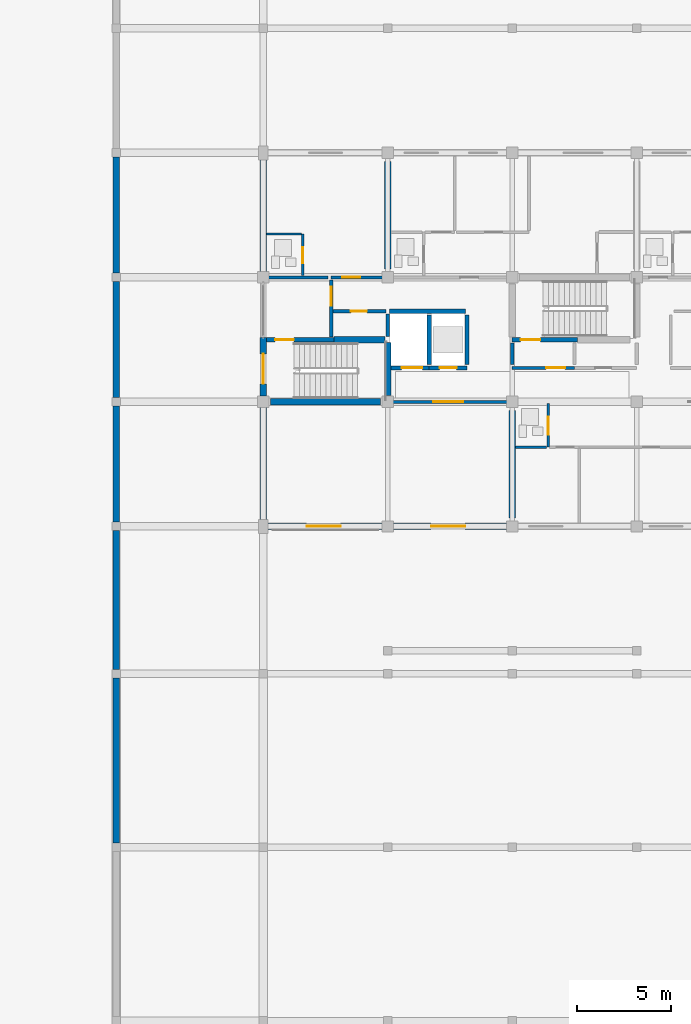
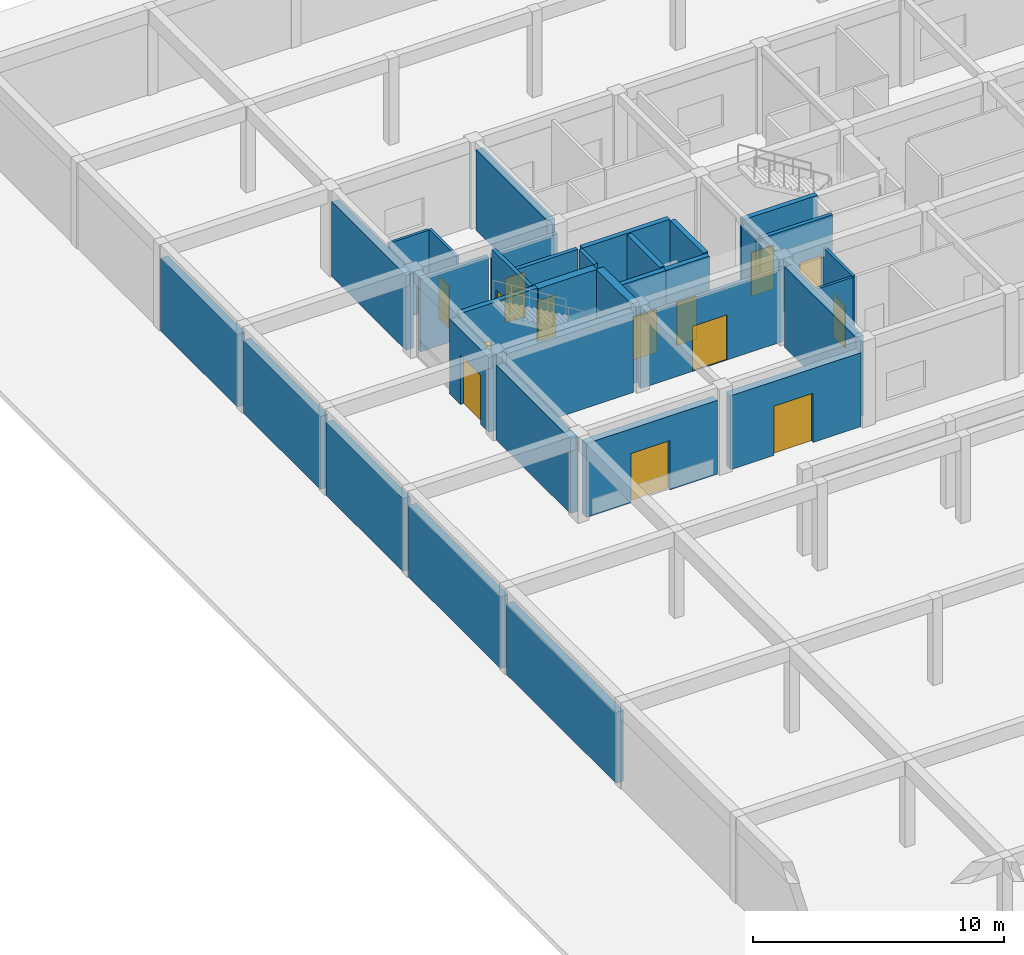
# One storey, part 54 of 75: 34 walls, 14 doors, 14 openings.
"""IFC4 building model written with IfcOpenShell, lengths in metres."""

from ifc_helpers import new_model, si_unit, direction, frame, frame_2d, origin, place, context, subcontext, project, spatial, rectangle, extrude, material, layer, layer_set, type_object, element, fill, save


model = new_model("IFC4")

# Units and contexts
model_context = context("Model", 3, precision=1e-05, world=origin(), true_north=direction((0.0, 1.0)))
body_context = subcontext(model_context, "Body", "Model", "MODEL_VIEW")
ifc_project = project(units=[si_unit("LENGTHUNIT", "METRE"), si_unit("AREAUNIT", "SQUARE_METRE"), si_unit("VOLUMEUNIT", "CUBIC_METRE"), si_unit("PLANEANGLEUNIT", "RADIAN"), si_unit("MASSUNIT", "GRAM", prefix="KILO")], contexts=[model_context])

# Site, building, storey
site_placement = place(None, origin())
site = spatial("IfcSite", under=ifc_project, at=site_placement, CompositionType="ELEMENT")
building_placement = place(site_placement, origin())
building = spatial("IfcBuilding", under=site, at=building_placement, Name="Kernevlak Ridge Housing Community", CompositionType="ELEMENT")
storey_placement = place(building_placement, origin())
storey = spatial("IfcBuildingStorey", under=building, at=storey_placement, Name="L00", CompositionType="ELEMENT", Elevation=0.0)

# Wall, opening, door
ifc_material_1 = material(Name="Concrete block masonry M10", Category="masonry")
ifc_layer_1 = layer(ifc_material_1, 0.340087890625, Name="Concrete block masonry M10")
ifc_layer_set_1 = layer_set([ifc_layer_1], Name="Concrete block masonry M10")
wall_type_1 = type_object("IfcWallType", Name="EW-04", PredefinedType="STANDARD", material=ifc_layer_set_1)
wall_1_placement = place(storey_placement, frame((15.85009765625, 76.0, 0.0), z_axis=(0.0, 0.0, 1.0), x_axis=(1.0, 0.0, 0.0)))
wall_1 = element("IfcWall", 1, at=wall_1_placement, inside=storey, type_object=wall_type_1, Name="Exterior wall EW-04 L00 1", PredefinedType="STANDARD", context=body_context, shape_type="SweptSolid", body=[
    extrude(rectangle(XDim=6.0498046875, YDim=0.340087890625, at=frame_2d((3.02490234375, 0.0))), origin(), (0.0, 0.0, 1.0), 3.60009765625),
])
opening_1_placement = place(wall_1_placement, frame((2.050048828125, 0.0, 0.0)))
opening_1 = element("IfcOpeningElement", 2, at=opening_1_placement, cuts=wall_1, Name="Opening D018", PredefinedType="OPENING", context=body_context, shape_type="SweptSolid", body=[
    extrude(rectangle(XDim=1.800048828125, YDim=2.39990234375, at=frame_2d((0.89990234375, 1.199951171875))), frame((0.0, 0.179931640625, 0.0), z_axis=(0.0, -1.0, 0.0), x_axis=(1.0, 0.0, 0.0)), (0.0, 0.0, 1.0), 0.360107421875),
])
ifc_material_2 = material(Name="Aluminium EN AW-6060 and laminated safety glass", Category="aluminium")
door_type_1 = type_object("IfcDoorType", Name="DT-10", OperationType="DOUBLE_DOOR_SINGLE_SWING", PredefinedType="DOOR", material=ifc_material_2)
door_1_placement = place(opening_1_placement, origin())
door_1 = element("IfcDoor", 3, at=door_1_placement, inside=storey, type_object=door_type_1, Name="Block A Main pedestrian entrance exit D018", OperationType="DOUBLE_DOOR_SINGLE_SWING", OverallHeight=2.39990234375, OverallWidth=1.800048828125, PredefinedType="DOOR", context=body_context, shape_type="SweptSolid", body=[
    extrude(rectangle(XDim=1.800048828125, YDim=2.39990234375, at=frame_2d((0.89990234375, 1.199951171875))), frame((0.0, 0.02490234375, 0.0), z_axis=(0.0, -1.0, 0.0), x_axis=(1.0, 0.0, 0.0)), (0.0, 0.0, 1.0), 0.050048828125),
])
fill(opening_1, door_1)

wall_2_placement = place(storey_placement, frame((22.5, 76.0, 0.0), z_axis=(0.0, 0.0, 1.0), x_axis=(1.0, 0.0, 0.0)))
wall_2 = element("IfcWall", 4, at=wall_2_placement, inside=storey, type_object=wall_type_1, Name="Exterior wall EW-04 L00 2", PredefinedType="STANDARD", context=body_context, shape_type="SweptSolid", body=[
    extrude(rectangle(XDim=6.0, YDim=0.340087890625, at=frame_2d((3.0, 0.0))), origin(), (0.0, 0.0, 1.0), 3.60009765625),
])
opening_2_placement = place(wall_2_placement, frame((2.0, 0.0, 0.0)))
opening_2 = element("IfcOpeningElement", 5, at=opening_2_placement, cuts=wall_2, Name="Opening D019", PredefinedType="OPENING", context=body_context, shape_type="SweptSolid", body=[
    extrude(rectangle(XDim=1.800048828125, YDim=2.39990234375, at=frame_2d((0.89990234375, 1.199951171875))), frame((0.0, 0.179931640625, 0.0), z_axis=(0.0, -1.0, 0.0), x_axis=(1.0, 0.0, 0.0)), (0.0, 0.0, 1.0), 0.360107421875),
])
door_2_placement = place(opening_2_placement, origin())
door_2 = element("IfcDoor", 6, at=door_2_placement, inside=storey, type_object=door_type_1, Name="Block A Main pedestrian entrance exit D019", OperationType="DOUBLE_DOOR_SINGLE_SWING", OverallHeight=2.39990234375, OverallWidth=1.800048828125, PredefinedType="DOOR", context=body_context, shape_type="SweptSolid", body=[
    extrude(rectangle(XDim=1.800048828125, YDim=2.39990234375, at=frame_2d((0.89990234375, 1.199951171875))), frame((0.0, 0.02490234375, 0.0), z_axis=(0.0, -1.0, 0.0), x_axis=(1.0, 0.0, 0.0)), (0.0, 0.0, 1.0), 0.050048828125),
])
fill(opening_2, door_2)

# Walls
for number, where, z_axis, x_axis, name in (
    (7, (15.60009765625, 76.375, 0.0), (0.0, 0.0, 1.0), (0.0, 1.0, 0.0), "Exterior wall EW-04 L00 11"),
    (8, (15.60009765625, 89.5, 0.0), (0.0, 0.0, 1.0), (0.0, 1.0, 0.0), "Exterior wall EW-04 L00 12"),
):
    element("IfcWall", number, at=place(storey_placement, frame(where, z_axis=z_axis, x_axis=x_axis)), inside=storey, type_object=wall_type_1, Name=name, PredefinedType="STANDARD", context=body_context, shape_type="SweptSolid", body=[
        extrude(rectangle(XDim=5.925048828125, YDim=0.340087890625, at=frame_2d((2.96240234375, 0.0))), origin(), (0.0, 0.0, 1.0), 3.64990234375),
    ])
wall_3_placement = place(storey_placement, frame((7.800048828125, 59.22509765625, 0.0), z_axis=(0.0, 0.0, 1.0), x_axis=(0.0, 1.0, 0.0)))
element("IfcWall", 9, at=wall_3_placement, inside=storey, type_object=wall_type_1, Name="Exterior wall EW-04 L00 861", PredefinedType="STANDARD", context=body_context, shape_type="SweptSolid", body=[
    extrude(rectangle(XDim=8.75, YDim=0.340087890625, at=frame_2d((4.375, 0.0))), origin(), (0.0, 0.0, 1.0), 3.449951171875),
])
wall_4_placement = place(storey_placement, frame((7.800048828125, 68.425048828125, 0.0), z_axis=(0.0, 0.0, 1.0), x_axis=(0.0, 1.0, 0.0)))
element("IfcWall", 10, at=wall_4_placement, inside=storey, type_object=wall_type_1, Name="Exterior wall EW-04 L00 862", PredefinedType="STANDARD", context=body_context, shape_type="SweptSolid", body=[
    extrude(rectangle(XDim=7.349853515625, YDim=0.340087890625, at=frame_2d((3.6748046875, 0.0))), origin(), (0.0, 0.0, 1.0), 3.5),
])
wall_5_placement = place(storey_placement, frame((7.800048828125, 76.22509765625, 0.0), z_axis=(0.0, 0.0, 1.0), x_axis=(0.0, 1.0, 0.0)))
element("IfcWall", 11, at=wall_5_placement, inside=storey, type_object=wall_type_1, Name="Exterior wall EW-04 L00 863", PredefinedType="STANDARD", context=body_context, shape_type="SweptSolid", body=[
    extrude(rectangle(XDim=6.14990234375, YDim=0.340087890625, at=frame_2d((3.074951171875, 0.0))), origin(), (0.0, 0.0, 1.0), 3.550048828125),
])
wall_6_placement = place(storey_placement, frame((7.800048828125, 82.824951171875, 0.0), z_axis=(0.0, 0.0, 1.0), x_axis=(0.0, 1.0, 0.0)))
element("IfcWall", 12, at=wall_6_placement, inside=storey, type_object=wall_type_1, Name="Exterior wall EW-04 L00 864", PredefinedType="STANDARD", context=body_context, shape_type="SweptSolid", body=[
    extrude(rectangle(XDim=6.150146484375, YDim=0.340087890625, at=frame_2d((3.0751953125, 0.0))), origin(), (0.0, 0.0, 1.0), 3.550048828125),
])
wall_7_placement = place(storey_placement, frame((7.800048828125, 89.425048828125, 0.0), z_axis=(0.0, 0.0, 1.0), x_axis=(0.0, 1.0, 0.0)))
element("IfcWall", 13, at=wall_7_placement, inside=storey, type_object=wall_type_1, Name="Exterior wall EW-04 L00 865", PredefinedType="STANDARD", context=body_context, shape_type="SweptSolid", body=[
    extrude(rectangle(XDim=6.14990234375, YDim=0.340087890625, at=frame_2d((3.074951171875, 0.0))), origin(), (0.0, 0.0, 1.0), 3.550048828125),
])

# Wall, opening, door
wall_8_placement = place(storey_placement, frame((15.60009765625, 82.89990234375, 0.0), z_axis=(0.0, 0.0, 1.0), x_axis=(0.0, 1.0, 0.0)))
wall_8 = element("IfcWall", 14, at=wall_8_placement, inside=storey, type_object=wall_type_1, Name="Exterior wall EW-04 L00 929", PredefinedType="STANDARD", context=body_context, shape_type="SweptSolid", body=[
    extrude(rectangle(XDim=3.110107421875, YDim=0.340087890625, at=frame_2d((1.55517578125, 0.0))), origin(), (0.0, 0.0, 1.0), 3.64990234375),
])
opening_3_placement = place(wall_8_placement, frame((0.64990234375, 0.0, 0.0)))
opening_3 = element("IfcOpeningElement", 15, at=opening_3_placement, cuts=wall_8, Name="Opening E828", PredefinedType="OPENING", context=body_context, shape_type="SweptSolid", body=[
    extrude(rectangle(XDim=1.60009765625, YDim=2.39990234375, at=frame_2d((0.800048828125, 1.199951171875))), frame((0.0, 0.179931640625, 0.0), z_axis=(0.0, -1.0, 0.0), x_axis=(1.0, 0.0, 0.0)), (0.0, 0.0, 1.0), 0.360107421875),
])
door_type_2 = type_object("IfcDoorType", Name="DT-13", OperationType="DOUBLE_DOOR_SINGLE_SWING", PredefinedType="DOOR", material=ifc_material_2)
door_3_placement = place(opening_3_placement, origin())
door_3 = element("IfcDoor", 16, at=door_3_placement, inside=storey, type_object=door_type_2, Name="Block A Stair 1 exit discharge door E828", OperationType="DOUBLE_DOOR_SINGLE_SWING", OverallHeight=2.39990234375, OverallWidth=1.60009765625, PredefinedType="DOOR", context=body_context, shape_type="SweptSolid", body=[
    extrude(rectangle(XDim=1.60009765625, YDim=2.39990234375, at=frame_2d((0.800048828125, 1.199951171875))), frame((0.0, 0.02490234375, 0.0), z_axis=(0.0, -1.0, 0.0), x_axis=(1.0, 0.0, 0.0)), (0.0, 0.0, 1.0), 0.050048828125),
])
fill(opening_3, door_3)

ifc_material_3 = material(Name="Concrete C35/45", Category="concrete")
ifc_layer_2 = layer(ifc_material_3, 0.22509765625, Name="Concrete C35/45")
ifc_layer_set_2 = layer_set([ifc_layer_2], Name="Concrete C35/45")
wall_type_2 = type_object("IfcWallType", Name="PW-01", PredefinedType="STANDARD", material=ifc_layer_set_2)
wall_9_placement = place(storey_placement, frame((15.780029296875, 85.89990234375, 0.0), z_axis=(0.0, 0.0, 1.0), x_axis=(1.0, 0.0, 0.0)))
wall_9 = element("IfcWall", 17, at=wall_9_placement, inside=storey, type_object=wall_type_2, Name="Interior wall PW-01 WAL-INT-L00-0022", PredefinedType="STANDARD", context=body_context, shape_type="SweptSolid", body=[
    extrude(rectangle(XDim=3.570068359375, YDim=0.22509765625, at=frame_2d((1.78515625, 0.0))), origin(), (0.0, 0.0, 1.0), 3.919921875),
])
opening_4_placement = place(wall_9_placement, frame((0.449951171875, 0.0, 0.0)))
opening_4 = element("IfcOpeningElement", 18, at=opening_4_placement, cuts=wall_9, Name="Opening D009", PredefinedType="OPENING", context=body_context, shape_type="SweptSolid", body=[
    extrude(rectangle(XDim=1.0, YDim=2.10009765625, at=frame_2d((0.5, 1.050048828125))), frame((0.0, 0.12255859375, 0.0), z_axis=(0.0, -1.0, 0.0), x_axis=(1.0, 0.0, 0.0)), (0.0, 0.0, 1.0), 0.2451171875),
])
ifc_material_4 = material(Name="Fire-rated sheet steel leaf", Category="steel")
door_type_3 = type_object("IfcDoorType", Name="DT-05", OperationType="NOTDEFINED", PredefinedType="DOOR", material=ifc_material_4)
door_4_placement = place(opening_4_placement, origin())
door_4 = element("IfcDoor", 19, at=door_4_placement, inside=storey, type_object=door_type_3, Name="Block A Stair 1 fire door D009", OperationType="SINGLE_SWING_LEFT", OverallHeight=2.10009765625, OverallWidth=1.0, PredefinedType="DOOR", context=body_context, shape_type="SweptSolid", body=[
    extrude(rectangle(XDim=1.0, YDim=2.10009765625, at=frame_2d((0.5, 1.050048828125))), frame((0.0, 0.02490234375, 0.0), z_axis=(0.0, -1.0, 0.0), x_axis=(1.0, 0.0, 0.0)), (0.0, 0.0, 1.0), 0.050048828125),
])
fill(opening_4, door_4)

wall_10_placement = place(storey_placement, frame((22.385009765625, 84.39990234375, 0.0), z_axis=(0.0, 0.0, 1.0), x_axis=(1.0, 0.0, 0.0)))
wall_10 = element("IfcWall", 20, at=wall_10_placement, inside=storey, type_object=wall_type_2, Name="Interior wall PW-01 WAL-INT-L00-0026", PredefinedType="STANDARD", context=body_context, shape_type="SweptSolid", body=[
    extrude(rectangle(XDim=2.014892578125, YDim=0.22509765625, at=frame_2d((1.00732421875, 0.0))), origin(), (0.0, 0.0, 1.0), 3.919921875),
])
opening_5_placement = place(wall_10_placement, frame((0.550048828125, 0.0, 0.0)))
opening_5 = element("IfcOpeningElement", 21, at=opening_5_placement, cuts=wall_10, Name="Opening LD02", PredefinedType="OPENING", context=body_context, shape_type="SweptSolid", body=[
    extrude(rectangle(XDim=1.10009765625, YDim=2.10009765625, at=frame_2d((0.550048828125, 1.050048828125))), frame((0.0, 0.12255859375, 0.0), z_axis=(0.0, -1.0, 0.0), x_axis=(1.0, 0.0, 0.0)), (0.0, 0.0, 1.0), 0.2451171875),
])
ifc_material_5 = material(Name="Stainless steel EN 1.4401", Category="steel")
door_type_4 = type_object("IfcDoorType", Name="DT-LD1", OperationType="DOUBLE_DOOR_SLIDING", PredefinedType="DOOR", material=ifc_material_5)
door_5_placement = place(opening_5_placement, origin())
door_5 = element("IfcDoor", 22, at=door_5_placement, inside=storey, type_object=door_type_4, Name="Lift LF-A1 landing door LD02", OperationType="DOUBLE_DOOR_SLIDING", OverallHeight=2.10009765625, OverallWidth=1.10009765625, PredefinedType="DOOR", context=body_context, shape_type="SweptSolid", body=[
    extrude(rectangle(XDim=1.10009765625, YDim=2.10009765625, at=frame_2d((0.550048828125, 1.050048828125))), frame((0.0, 0.02490234375, 0.0), z_axis=(0.0, -1.0, 0.0), x_axis=(1.0, 0.0, 0.0)), (0.0, 0.0, 1.0), 0.050048828125),
])
fill(opening_5, door_5)

wall_11_placement = place(storey_placement, frame((24.39990234375, 84.39990234375, 0.0), z_axis=(0.0, 0.0, 1.0), x_axis=(1.0, 0.0, 0.0)))
wall_11 = element("IfcWall", 23, at=wall_11_placement, inside=storey, type_object=wall_type_2, Name="Interior wall PW-01 WAL-INT-L00-0027", PredefinedType="STANDARD", context=body_context, shape_type="SweptSolid", body=[
    extrude(rectangle(XDim=2.0, YDim=0.22509765625, at=frame_2d((1.0, 0.0))), origin(), (0.0, 0.0, 1.0), 3.919921875),
])
opening_6_placement = place(wall_11_placement, frame((0.550048828125, 0.0, 0.0)))
opening_6 = element("IfcOpeningElement", 24, at=opening_6_placement, cuts=wall_11, Name="Opening LD03", PredefinedType="OPENING", context=body_context, shape_type="SweptSolid", body=[
    extrude(rectangle(XDim=0.89990234375, YDim=2.10009765625, at=frame_2d((0.449951171875, 1.050048828125))), frame((0.0, 0.12255859375, 0.0), z_axis=(0.0, -1.0, 0.0), x_axis=(1.0, 0.0, 0.0)), (0.0, 0.0, 1.0), 0.2451171875),
])
door_type_5 = type_object("IfcDoorType", Name="DT-LD2", OperationType="DOUBLE_DOOR_SLIDING", PredefinedType="DOOR", material=ifc_material_5)
door_6_placement = place(opening_6_placement, origin())
door_6 = element("IfcDoor", 25, at=door_6_placement, inside=storey, type_object=door_type_5, Name="Lift LF-A2 landing door LD03", OperationType="DOUBLE_DOOR_SLIDING", OverallHeight=2.10009765625, OverallWidth=0.89990234375, PredefinedType="DOOR", context=body_context, shape_type="SweptSolid", body=[
    extrude(rectangle(XDim=0.89990234375, YDim=2.10009765625, at=frame_2d((0.449951171875, 1.050048828125))), frame((0.0, 0.02490234375, 0.0), z_axis=(0.0, -1.0, 0.0), x_axis=(1.0, 0.0, 0.0)), (0.0, 0.0, 1.0), 0.050048828125),
])
fill(opening_6, door_6)

# Walls
wall_12_placement = place(storey_placement, frame((22.297607421875, 87.39990234375, 0.0), z_axis=(0.0, 0.0, 1.0), x_axis=(1.0, 0.0, 0.0)))
element("IfcWall", 26, at=wall_12_placement, inside=storey, type_object=wall_type_2, Name="Interior wall PW-01 WAL-INT-L00-0028", PredefinedType="STANDARD", context=body_context, shape_type="SweptSolid", body=[
    extrude(rectangle(XDim=4.0224609375, YDim=0.22509765625, at=frame_2d((2.01123046875, 0.0))), origin(), (0.0, 0.0, 1.0), 3.919921875),
])
for number, where, z_axis, x_axis, name in (
    (27, (24.39990234375, 84.580078125, 0.0), (0.0, 0.0, 1.0), (0.0, 1.0, 0.0), "Interior wall PW-01 WAL-INT-L00-0030"),
    (28, (26.39990234375, 84.580078125, 0.0), (0.0, 0.0, 1.0), (0.0, 1.0, 0.0), "Interior wall PW-01 WAL-INT-L00-0031"),
):
    element("IfcWall", number, at=place(storey_placement, frame(where, z_axis=z_axis, x_axis=x_axis)), inside=storey, type_object=wall_type_2, Name=name, PredefinedType="STANDARD", context=body_context, shape_type="SweptSolid", body=[
        extrude(rectangle(XDim=2.639892578125, YDim=0.22509765625, at=frame_2d((1.31982421875, 0.0))), origin(), (0.0, 0.0, 1.0), 3.919921875),
    ])

# Wall, opening, door
wall_13_placement = place(storey_placement, frame((28.800048828125, 85.89990234375, 0.0), z_axis=(0.0, 0.0, 1.0), x_axis=(1.0, 0.0, 0.0)))
wall_13 = element("IfcWall", 29, at=wall_13_placement, inside=storey, type_object=wall_type_2, Name="Interior wall PW-01 WAL-INT-L00-0032", PredefinedType="STANDARD", context=body_context, shape_type="SweptSolid", body=[
    extrude(rectangle(XDim=3.449951171875, YDim=0.22509765625, at=frame_2d((1.72509765625, 0.0))), origin(), (0.0, 0.0, 1.0), 3.919921875),
])
opening_7_placement = place(wall_13_placement, frame((0.449951171875, 0.0, 0.0)))
opening_7 = element("IfcOpeningElement", 30, at=opening_7_placement, cuts=wall_13, Name="Opening D012", PredefinedType="OPENING", context=body_context, shape_type="SweptSolid", body=[
    extrude(rectangle(XDim=1.0400390625, YDim=2.1201171875, at=frame_2d((0.52001953125, 1.06005859375))), frame((0.0, 0.12255859375, 0.0), z_axis=(0.0, -1.0, 0.0), x_axis=(1.0, 0.0, 0.0)), (0.0, 0.0, 1.0), 0.2451171875),
])
door_type_6 = type_object("IfcDoorType", Name="DT-16", OperationType="NOTDEFINED", PredefinedType="DOOR", material=ifc_material_4)
door_7_placement = place(opening_7_placement, origin())
door_7 = element("IfcDoor", 31, at=door_7_placement, inside=storey, type_object=door_type_6, Name="Block A Stair 2 fire door D012", OperationType="SINGLE_SWING_RIGHT", OverallHeight=2.1201171875, OverallWidth=1.0400390625, PredefinedType="DOOR", context=body_context, shape_type="SweptSolid", body=[
    extrude(rectangle(XDim=1.0400390625, YDim=2.1201171875, at=frame_2d((0.52001953125, 1.06005859375))), frame((0.0, 0.02490234375, 0.0), z_axis=(0.0, -1.0, 0.0), x_axis=(1.0, 0.0, 0.0)), (0.0, 0.0, 1.0), 0.050048828125),
])
fill(opening_7, door_7)

ifc_layer_3 = layer(ifc_material_1, 0.175048828125, Name="Concrete block masonry M10")
ifc_layer_set_3 = layer_set([ifc_layer_3], Name="Concrete block masonry M10")
wall_type_3 = type_object("IfcWallType", Name="PW-02", PredefinedType="PARTITIONING", material=ifc_layer_set_3)
wall_14_placement = place(storey_placement, frame((19.199951171875, 86.050048828125, 0.0), z_axis=(0.0, 0.0, 1.0), x_axis=(0.0, 1.0, 0.0)))
wall_14 = element("IfcWall", 32, at=wall_14_placement, inside=storey, type_object=wall_type_3, Name="Interior wall PW-02 WAL-INT-L00-0023", PredefinedType="PARTITIONING", context=body_context, shape_type="SweptSolid", body=[
    extrude(rectangle(XDim=3.0, YDim=0.175048828125, at=frame_2d((1.5, 0.0))), origin(), (0.0, 0.0, 1.0), 3.919921875),
])
opening_8_placement = place(wall_14_placement, frame((1.64990234375, 0.0, 0.0)))
opening_8 = element("IfcOpeningElement", 33, at=opening_8_placement, cuts=wall_14, Name="Opening D010", PredefinedType="OPENING", context=body_context, shape_type="SweptSolid", body=[
    extrude(rectangle(XDim=1.0, YDim=2.159912109375, at=frame_2d((0.5, 1.080078125))), frame((0.0, 0.097412109375, 0.0), z_axis=(0.0, -1.0, 0.0), x_axis=(1.0, 0.0, 0.0)), (0.0, 0.0, 1.0), 0.195068359375),
])
door_type_7 = type_object("IfcDoorType", Name="DT-15", OperationType="NOTDEFINED", PredefinedType="DOOR", material=ifc_material_4)
door_8_placement = place(opening_8_placement, origin())
door_8 = element("IfcDoor", 34, at=door_8_placement, inside=storey, type_object=door_type_7, Name="Block A Firefighting lobby 1 door D010", OperationType="SINGLE_SWING_RIGHT", OverallHeight=2.159912109375, OverallWidth=1.0, PredefinedType="DOOR", context=body_context, shape_type="SweptSolid", body=[
    extrude(rectangle(XDim=1.0, YDim=2.159912109375, at=frame_2d((0.5, 1.080078125))), frame((0.0, 0.02490234375, 0.0), z_axis=(0.0, -1.0, 0.0), x_axis=(1.0, 0.0, 0.0)), (0.0, 0.0, 1.0), 0.050048828125),
])
fill(opening_8, door_8)

wall_15_placement = place(storey_placement, frame((19.300048828125, 87.39990234375, 0.0), z_axis=(0.0, 0.0, 1.0), x_axis=(1.0, 0.0, 0.0)))
wall_15 = element("IfcWall", 35, at=wall_15_placement, inside=storey, type_object=wall_type_3, Name="Interior wall PW-02 WAL-INT-L00-0024", PredefinedType="PARTITIONING", context=body_context, shape_type="SweptSolid", body=[
    extrude(rectangle(XDim=2.800048828125, YDim=0.175048828125, at=frame_2d((1.39990234375, 0.0))), origin(), (0.0, 0.0, 1.0), 3.919921875),
])
opening_9_placement = place(wall_15_placement, frame((0.949951171875, 0.0, 0.0)))
opening_9 = element("IfcOpeningElement", 36, at=opening_9_placement, cuts=wall_15, Name="Opening D011", PredefinedType="OPENING", context=body_context, shape_type="SweptSolid", body=[
    extrude(rectangle(XDim=0.85009765625, YDim=2.0, at=frame_2d((0.425048828125, 1.0))), frame((0.0, 0.097412109375, 0.0), z_axis=(0.0, -1.0, 0.0), x_axis=(1.0, 0.0, 0.0)), (0.0, 0.0, 1.0), 0.195068359375),
])
door_type_8 = type_object("IfcDoorType", Name="DT-07", OperationType="NOTDEFINED", PredefinedType="DOOR", material=ifc_material_4)
door_9_placement = place(opening_9_placement, origin())
door_9 = element("IfcDoor", 37, at=door_9_placement, inside=storey, type_object=door_type_8, Name="Block A Riser shaft door D011", OperationType="SINGLE_SWING_LEFT", OverallHeight=2.0, OverallWidth=0.85009765625, PredefinedType="DOOR", context=body_context, shape_type="SweptSolid", body=[
    extrude(rectangle(XDim=0.85009765625, YDim=2.0, at=frame_2d((0.425048828125, 1.0))), frame((0.0, 0.02490234375, 0.0), z_axis=(0.0, -1.0, 0.0), x_axis=(1.0, 0.0, 0.0)), (0.0, 0.0, 1.0), 0.050048828125),
])
fill(opening_9, door_9)

# Wall
wall_16_placement = place(storey_placement, frame((22.199951171875, 86.080078125, 0.0), z_axis=(0.0, 0.0, 1.0), x_axis=(0.0, 1.0, 0.0)))
element("IfcWall", 38, at=wall_16_placement, inside=storey, type_object=wall_type_3, Name="Interior wall PW-02 WAL-INT-L00-0025", PredefinedType="PARTITIONING", context=body_context, shape_type="SweptSolid", body=[
    extrude(rectangle(XDim=1.18994140625, YDim=0.175048828125, at=frame_2d((0.594970703125, 0.0))), origin(), (0.0, 0.0, 1.0), 3.919921875),
])

# Wall, opening, door
wall_17_placement = place(storey_placement, frame((28.800048828125, 84.39990234375, 0.0), z_axis=(0.0, 0.0, 1.0), x_axis=(1.0, 0.0, 0.0)))
wall_17 = element("IfcWall", 39, at=wall_17_placement, inside=storey, type_object=wall_type_3, Name="Interior wall PW-02 WAL-INT-L00-0033", PredefinedType="PARTITIONING", context=body_context, shape_type="SweptSolid", body=[
    extrude(rectangle(XDim=3.300048828125, YDim=0.175048828125, at=frame_2d((1.64990234375, 0.0))), origin(), (0.0, 0.0, 1.0), 3.919921875),
])
opening_10_placement = place(wall_17_placement, frame((1.800048828125, 0.0, 0.0)))
opening_10 = element("IfcOpeningElement", 40, at=opening_10_placement, cuts=wall_17, Name="Opening D013", PredefinedType="OPENING", context=body_context, shape_type="SweptSolid", body=[
    extrude(rectangle(XDim=1.0, YDim=2.10009765625, at=frame_2d((0.5, 1.050048828125))), frame((0.0, 0.097412109375, 0.0), z_axis=(0.0, -1.0, 0.0), x_axis=(1.0, 0.0, 0.0)), (0.0, 0.0, 1.0), 0.195068359375),
])
door_10_placement = place(opening_10_placement, origin())
door_10 = element("IfcDoor", 41, at=door_10_placement, inside=storey, type_object=door_type_3, Name="Block A Firefighting lobby 2 door D013", OperationType="SINGLE_SWING_LEFT", OverallHeight=2.10009765625, OverallWidth=1.0, PredefinedType="DOOR", context=body_context, shape_type="SweptSolid", body=[
    extrude(rectangle(XDim=1.0, YDim=2.10009765625, at=frame_2d((0.5, 1.050048828125))), frame((0.0, 0.02490234375, 0.0), z_axis=(0.0, -1.0, 0.0), x_axis=(1.0, 0.0, 0.0)), (0.0, 0.0, 1.0), 0.050048828125),
])
fill(opening_10, door_10)

# Wall
wall_18_placement = place(storey_placement, frame((28.800048828125, 84.580078125, 0.0), z_axis=(0.0, 0.0, 1.0), x_axis=(0.0, 1.0, 0.0)))
element("IfcWall", 42, at=wall_18_placement, inside=storey, type_object=wall_type_3, Name="Interior wall PW-02 WAL-INT-L00-0035", PredefinedType="PARTITIONING", context=body_context, shape_type="SweptSolid", body=[
    extrude(rectangle(XDim=1.139892578125, YDim=0.175048828125, at=frame_2d((0.56982421875, 0.0))), origin(), (0.0, 0.0, 1.0), 3.75),
])

# Wall, opening, door
wall_19_placement = place(storey_placement, frame((22.199951171875, 82.60009765625, 0.0), z_axis=(0.0, 0.0, 1.0), x_axis=(1.0, 0.0, 0.0)))
wall_19 = element("IfcWall", 43, at=wall_19_placement, inside=storey, type_object=wall_type_3, Name="Interior wall PW-02 WAL-INT-L00-0043", PredefinedType="PARTITIONING", context=body_context, shape_type="SweptSolid", body=[
    extrude(rectangle(XDim=6.60009765625, YDim=0.175048828125, at=frame_2d((3.300048828125, 0.0))), origin(), (0.0, 0.0, 1.0), 3.550048828125),
])
opening_11_placement = place(wall_19_placement, frame((2.39990234375, 0.0, 0.0)))
opening_11 = element("IfcOpeningElement", 44, at=opening_11_placement, cuts=wall_19, Name="Opening D017", PredefinedType="OPENING", context=body_context, shape_type="SweptSolid", body=[
    extrude(rectangle(XDim=1.60009765625, YDim=2.199951171875, at=frame_2d((0.800048828125, 1.10009765625))), frame((0.0, 0.097412109375, 0.0), z_axis=(0.0, -1.0, 0.0), x_axis=(1.0, 0.0, 0.0)), (0.0, 0.0, 1.0), 0.195068359375),
])
ifc_material_6 = material(Name="Fire-rated sheet steel and fire-resistant glass", Category="steel")
door_type_9 = type_object("IfcDoorType", Name="DT-09", OperationType="DOUBLE_DOOR_SINGLE_SWING", PredefinedType="DOOR", material=ifc_material_6)
door_11_placement = place(opening_11_placement, origin())
door_11 = element("IfcDoor", 45, at=door_11_placement, inside=storey, type_object=door_type_9, Name="Block A Ground lobby inner fire door D017", OperationType="DOUBLE_DOOR_SINGLE_SWING", OverallHeight=2.199951171875, OverallWidth=1.60009765625, PredefinedType="DOOR", context=body_context, shape_type="SweptSolid", body=[
    extrude(rectangle(XDim=1.60009765625, YDim=2.199951171875, at=frame_2d((0.800048828125, 1.10009765625))), frame((0.0, 0.02490234375, 0.0), z_axis=(0.0, -1.0, 0.0), x_axis=(1.0, 0.0, 0.0)), (0.0, 0.0, 1.0), 0.050048828125),
])
fill(opening_11, door_11)

# Wall
wall_20_placement = place(storey_placement, frame((15.8798828125, 89.199951171875, 0.0), z_axis=(0.0, 0.0, 1.0), x_axis=(1.0, 0.0, 0.0)))
element("IfcWall", 46, at=wall_20_placement, inside=storey, type_object=wall_type_3, Name="Interior wall PW-02 WAL-INT-L00-0053", PredefinedType="PARTITIONING", context=body_context, shape_type="SweptSolid", body=[
    extrude(rectangle(XDim=3.14013671875, YDim=0.175048828125, at=frame_2d((1.570068359375, 0.0))), origin(), (0.0, 0.0, 1.0), 3.550048828125),
])

# Wall, opening, door
wall_21_placement = place(storey_placement, frame((19.199951171875, 89.199951171875, 0.0), z_axis=(0.0, 0.0, 1.0), x_axis=(1.0, 0.0, 0.0)))
wall_21 = element("IfcWall", 47, at=wall_21_placement, inside=storey, type_object=wall_type_3, Name="Interior wall PW-02 WAL-INT-L00-0054", PredefinedType="PARTITIONING", context=body_context, shape_type="SweptSolid", body=[
    extrude(rectangle(XDim=3.0, YDim=0.175048828125, at=frame_2d((1.5, 0.0))), origin(), (0.0, 0.0, 1.0), 3.550048828125),
])
opening_12_placement = place(wall_21_placement, frame((0.60009765625, 0.0, 0.0)))
opening_12 = element("IfcOpeningElement", 48, at=opening_12_placement, cuts=wall_21, Name="Opening D025", PredefinedType="OPENING", context=body_context, shape_type="SweptSolid", body=[
    extrude(rectangle(XDim=0.949951171875, YDim=2.159912109375, at=frame_2d((0.47509765625, 1.080078125))), frame((0.0, 0.097412109375, 0.0), z_axis=(0.0, -1.0, 0.0), x_axis=(1.0, 0.0, 0.0)), (0.0, 0.0, 1.0), 0.195068359375),
])
ifc_material_7 = material(Name="Hardwood timber solid-core fire leaf", Category="wood")
door_type_10 = type_object("IfcDoorType", Name="DT-02", OperationType="NOTDEFINED", PredefinedType="DOOR", material=ifc_material_7)
door_12_placement = place(opening_12_placement, origin())
door_12 = element("IfcDoor", 49, at=door_12_placement, inside=storey, type_object=door_type_10, Name="Flat A0021 entrance fire door D025", OperationType="SINGLE_SWING_LEFT", OverallHeight=2.159912109375, OverallWidth=0.949951171875, PredefinedType="DOOR", context=body_context, shape_type="SweptSolid", body=[
    extrude(rectangle(XDim=0.949951171875, YDim=2.159912109375, at=frame_2d((0.47509765625, 1.080078125))), frame((0.0, 0.02490234375, 0.0), z_axis=(0.0, -1.0, 0.0), x_axis=(1.0, 0.0, 0.0)), (0.0, 0.0, 1.0), 0.050048828125),
])
fill(opening_12, door_12)

ifc_material_8 = material(Name="Gypsum plasterboard EN 520", Category="gypsum")
ifc_layer_4 = layer(ifc_material_8, 0.125, Name="Gypsum plasterboard EN 520")
ifc_layer_set_4 = layer_set([ifc_layer_4], Name="Gypsum plasterboard EN 520")
wall_type_4 = type_object("IfcWallType", Name="PW-04", PredefinedType="PARTITIONING", material=ifc_layer_set_4)
wall_22_placement = place(storey_placement, frame((30.699951171875, 82.50244140625, 0.0), z_axis=(0.0, 0.0, 1.0), x_axis=(0.0, -1.0, 0.0)))
wall_22 = element("IfcWall", 50, at=wall_22_placement, inside=storey, type_object=wall_type_4, Name="Interior wall PW-04 WAL-INT-L00-0045", PredefinedType="PARTITIONING", context=body_context, shape_type="SweptSolid", body=[
    extrude(rectangle(XDim=2.302490234375, YDim=0.125, at=frame_2d((1.1513671875, 0.0))), origin(), (0.0, 0.0, 1.0), 3.919921875),
])
opening_13_placement = place(wall_22_placement, frame((0.699951171875, 0.0, 0.0)))
opening_13 = element("IfcOpeningElement", 51, at=opening_13_placement, cuts=wall_22, Name="Opening D021", PredefinedType="OPENING", context=body_context, shape_type="SweptSolid", body=[
    extrude(rectangle(XDim=0.93994140625, YDim=2.080078125, at=frame_2d((0.469970703125, 1.0400390625))), frame((0.0, 0.072509765625, 0.0), z_axis=(0.0, -1.0, 0.0), x_axis=(1.0, 0.0, 0.0)), (0.0, 0.0, 1.0), 0.14501953125),
])
ifc_material_9 = material(Name="Hardwood timber moisture-resistant leaf", Category="wood")
door_type_11 = type_object("IfcDoorType", Name="DT-23", OperationType="NOTDEFINED", PredefinedType="DOOR", material=ifc_material_9)
door_13_placement = place(opening_13_placement, origin())
door_13 = element("IfcDoor", 52, at=door_13_placement, inside=storey, type_object=door_type_11, Name="Flat A0012 bathroom door D021", OperationType="SINGLE_SWING_LEFT", OverallHeight=2.080078125, OverallWidth=0.93994140625, PredefinedType="DOOR", context=body_context, shape_type="SweptSolid", body=[
    extrude(rectangle(XDim=0.93994140625, YDim=2.080078125, at=frame_2d((0.469970703125, 1.0400390625))), frame((0.0, 0.02490234375, 0.0), z_axis=(0.0, -1.0, 0.0), x_axis=(1.0, 0.0, 0.0)), (0.0, 0.0, 1.0), 0.050048828125),
])
fill(opening_13, door_13)

# Wall
wall_23_placement = place(storey_placement, frame((28.985107421875, 80.199951171875, 0.0), z_axis=(0.0, 0.0, 1.0), x_axis=(1.0, 0.0, 0.0)))
element("IfcWall", 53, at=wall_23_placement, inside=storey, type_object=wall_type_4, Name="Interior wall PW-04 WAL-INT-L00-0046", PredefinedType="PARTITIONING", context=body_context, shape_type="SweptSolid", body=[
    extrude(rectangle(XDim=1.635009765625, YDim=0.125, at=frame_2d((0.8173828125, 0.0))), origin(), (0.0, 0.0, 1.0), 3.919921875),
])

# Wall, opening, door
wall_24_placement = place(storey_placement, frame((17.699951171875, 89.297607421875, 0.0), z_axis=(0.0, 0.0, 1.0), x_axis=(0.0, 1.0, 0.0)))
wall_24 = element("IfcWall", 54, at=wall_24_placement, inside=storey, type_object=wall_type_4, Name="Interior wall PW-04 WAL-INT-L00-0055", PredefinedType="PARTITIONING", context=body_context, shape_type="SweptSolid", body=[
    extrude(rectangle(XDim=2.202392578125, YDim=0.125, at=frame_2d((1.10107421875, 0.0))), origin(), (0.0, 0.0, 1.0), 3.919921875),
])
opening_14_placement = place(wall_24_placement, frame((0.64990234375, 0.0, 0.0)))
opening_14 = element("IfcOpeningElement", 55, at=opening_14_placement, cuts=wall_24, Name="Opening D026", PredefinedType="OPENING", context=body_context, shape_type="SweptSolid", body=[
    extrude(rectangle(XDim=0.840087890625, YDim=2.06005859375, at=frame_2d((0.419921875, 1.030029296875))), frame((0.0, 0.072509765625, 0.0), z_axis=(0.0, -1.0, 0.0), x_axis=(1.0, 0.0, 0.0)), (0.0, 0.0, 1.0), 0.14501953125),
])
door_type_12 = type_object("IfcDoorType", Name="DT-27", OperationType="NOTDEFINED", PredefinedType="DOOR", material=ifc_material_9)
door_14_placement = place(opening_14_placement, origin())
door_14 = element("IfcDoor", 56, at=door_14_placement, inside=storey, type_object=door_type_12, Name="Flat A0021 bathroom door D026", OperationType="SINGLE_SWING_RIGHT", OverallHeight=2.06005859375, OverallWidth=0.840087890625, PredefinedType="DOOR", context=body_context, shape_type="SweptSolid", body=[
    extrude(rectangle(XDim=0.840087890625, YDim=2.06005859375, at=frame_2d((0.419921875, 1.030029296875))), frame((0.0, 0.02490234375, 0.0), z_axis=(0.0, -1.0, 0.0), x_axis=(1.0, 0.0, 0.0)), (0.0, 0.0, 1.0), 0.050048828125),
])
fill(opening_14, door_14)

# Walls
wall_25_placement = place(storey_placement, frame((15.780029296875, 91.5, 0.0), z_axis=(0.0, 0.0, 1.0), x_axis=(1.0, 0.0, 0.0)))
element("IfcWall", 57, at=wall_25_placement, inside=storey, type_object=wall_type_4, Name="Interior wall PW-04 WAL-INT-L00-0056", PredefinedType="PARTITIONING", context=body_context, shape_type="SweptSolid", body=[
    extrude(rectangle(XDim=1.840087890625, YDim=0.125, at=frame_2d((0.919921875, 0.0))), origin(), (0.0, 0.0, 1.0), 3.919921875),
])
ifc_material_10 = material(Name="Concrete C40/50", Category="concrete")
ifc_layer_5 = layer(ifc_material_10, 0.35009765625, Name="Concrete C40/50")
ifc_layer_set_5 = layer_set([ifc_layer_5], Name="Concrete C40/50")
wall_type_5 = type_object("IfcWallType", Name="SW-01", PredefinedType="SHEAR", material=ifc_layer_set_5)
wall_26_placement = place(storey_placement, frame((15.97998046875, 82.60009765625, 0.0), z_axis=(0.0, 0.0, 1.0), x_axis=(1.0, 0.0, 0.0)))
element("IfcWall", 58, at=wall_26_placement, inside=storey, type_object=wall_type_5, Name="Shear wall SW-01 Block A L00 11", PredefinedType="SHEAR", context=body_context, shape_type="SweptSolid", body=[
    extrude(rectangle(XDim=5.840087890625, YDim=0.35009765625, at=frame_2d((2.919921875, 0.0))), origin(), (0.0, 0.0, 1.0), 3.919921875),
])
wall_27_placement = place(storey_placement, frame((19.35009765625, 85.89990234375, 0.0), z_axis=(0.0, 0.0, 1.0), x_axis=(1.0, 0.0, 0.0)))
element("IfcWall", 59, at=wall_27_placement, inside=storey, type_object=wall_type_5, Name="Shear wall SW-01 Block A L00 12", PredefinedType="SHEAR", context=body_context, shape_type="SweptSolid", body=[
    extrude(rectangle(XDim=2.699951171875, YDim=0.35009765625, at=frame_2d((1.35009765625, 0.0))), origin(), (0.0, 0.0, 1.0), 3.919921875),
])
wall_28_placement = place(storey_placement, frame((22.199951171875, 82.949951171875, 0.0), z_axis=(0.0, 0.0, 1.0), x_axis=(0.0, 1.0, 0.0)))
element("IfcWall", 60, at=wall_28_placement, inside=storey, type_object=wall_type_5, Name="Shear wall SW-01 Block A L00 13", PredefinedType="SHEAR", context=body_context, shape_type="SweptSolid", body=[
    extrude(rectangle(XDim=2.800048828125, YDim=0.35009765625, at=frame_2d((1.39990234375, 0.0))), origin(), (0.0, 0.0, 1.0), 3.919921875),
])
wall_29_placement = place(storey_placement, frame((28.800048828125, 76.449951171875, 0.0), z_axis=(0.0, 0.0, 1.0), x_axis=(0.0, 1.0, 0.0)))
element("IfcWall", 61, at=wall_29_placement, inside=storey, type_object=wall_type_5, Name="Shear wall SW-01 Block A L00 18", PredefinedType="SHEAR", context=body_context, shape_type="SweptSolid", body=[
    extrude(rectangle(XDim=5.699951171875, YDim=0.35009765625, at=frame_2d((2.85009765625, 0.0))), origin(), (0.0, 0.0, 1.0), 3.919921875),
])
wall_30_placement = place(storey_placement, frame((22.199951171875, 89.64990234375, 0.0), z_axis=(0.0, 0.0, 1.0), x_axis=(0.0, 1.0, 0.0)))
element("IfcWall", 62, at=wall_30_placement, inside=storey, type_object=wall_type_5, Name="Shear wall SW-01 Block A L00 19", PredefinedType="SHEAR", context=body_context, shape_type="SweptSolid", body=[
    extrude(rectangle(XDim=5.7001953125, YDim=0.35009765625, at=frame_2d((2.85009765625, 0.0))), origin(), (0.0, 0.0, 1.0), 3.919921875),
])

save(model, "model.ifc")
